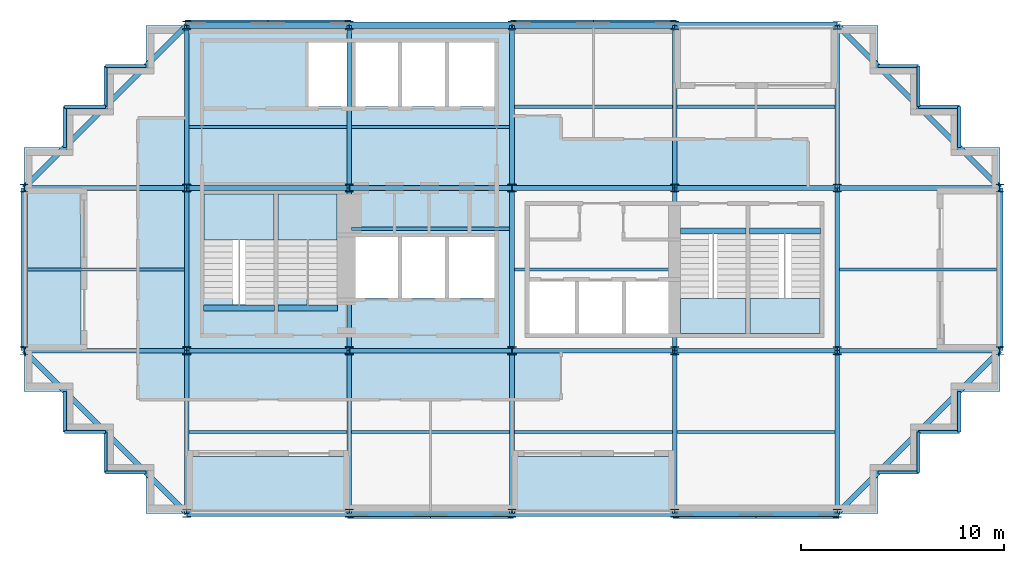
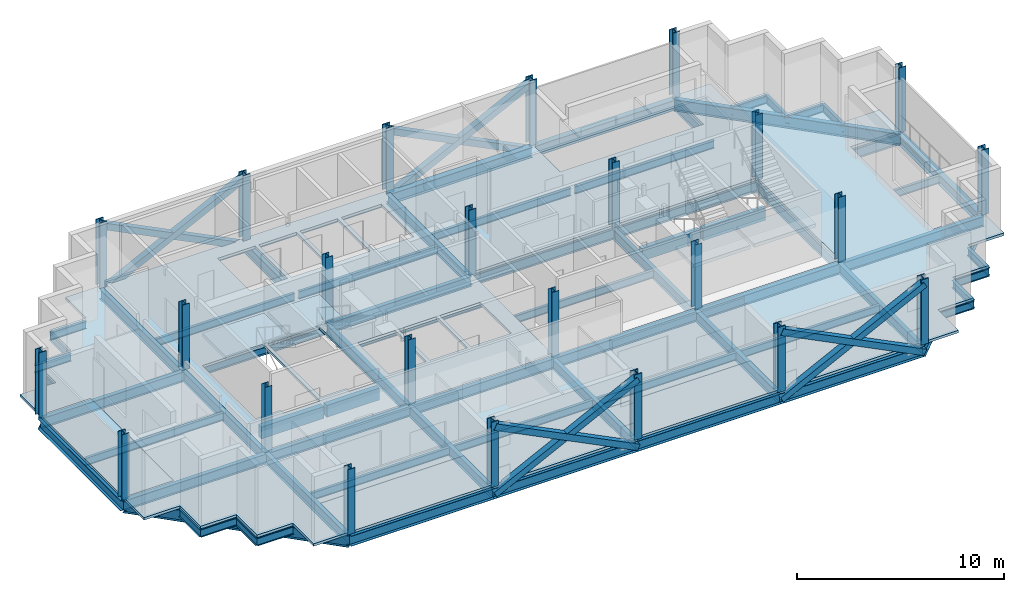
# One storey, part 1 of 7: 73 beams, 24 columns, 9 slabs, 8 members, 4 elements without a shape of their own.
"""IFC4 building model written with IfcOpenShell, lengths in metres."""

from ifc_helpers import new_model, si_unit, direction, frame, origin, origin_2d, place, context, subcontext, project, spatial, polyline, rectangle, hollow_rectangle, i_section, outline, extrude, material, layer, layer_set, material_profile, profile_set, type_object, element, aggregate, save


model = new_model("IFC4")

# Units and contexts
model_context = context("Model", 3, precision=1e-05, world=origin(), true_north=direction((0.0, 1.0)))
body_context = subcontext(model_context, "Body", "Model", "MODEL_VIEW")
ifc_project = project(units=[si_unit("LENGTHUNIT", "METRE"), si_unit("AREAUNIT", "SQUARE_METRE"), si_unit("VOLUMEUNIT", "CUBIC_METRE"), si_unit("PLANEANGLEUNIT", "RADIAN"), si_unit("MASSUNIT", "GRAM", prefix="KILO")], contexts=[model_context])

# Site, building, storey
site_placement = place(None, origin())
site = spatial("IfcSite", under=ifc_project, at=site_placement, CompositionType="ELEMENT")
building_placement = place(site_placement, origin())
building = spatial("IfcBuilding", under=site, at=building_placement, Name="Immortelle Media Tower", CompositionType="ELEMENT")
storey_placement = place(building_placement, frame((0.0, 0.0, 205.0)))
storey = spatial("IfcBuildingStorey", under=building, at=storey_placement, Name="L43", CompositionType="ELEMENT", Elevation=205.0)

# Columns
ifc_material_1 = material(Name="Steel ASTM A992 Gr 50", Category="steel")
ifc_material_profile_1 = material_profile(ifc_material_1, i_section(OverallWidth=0.39404296875, OverallDepth=0.3759765625, WebThickness=0.01708984375, FlangeThickness=0.028076171875, at=origin_2d()), Name="W14x145")
ifc_profile_set_1 = profile_set([ifc_material_profile_1], Name="Steel ASTM A992 Gr 50")
column_type_1 = type_object("IfcColumnType", Name="W14x145 column", PredefinedType="COLUMN", material=ifc_profile_set_1)
for number, where, z_axis, x_axis, name in (
    (1, (8.0, 8.0, 0.0), (0.0, 0.0, 1.0), (1.0, 0.0, 0.0), "Column 2/B"),
    (2, (8.0, 16.0, 0.0), (0.0, 0.0, 1.0), (1.0, 0.0, 0.0), "Column 2/C"),
    (3, (16.0, 8.0, 0.0), (0.0, 0.0, 1.0), (1.0, 0.0, 0.0), "Column 3/B"),
    (4, (16.0, 16.0, 0.0), (0.0, 0.0, 1.0), (1.0, 0.0, 0.0), "Column 3/C"),
    (5, (32.0, 8.0, 0.0), (0.0, 0.0, 1.0), (1.0, 0.0, 0.0), "Column 5/B"),
    (6, (32.0, 16.0, 0.0), (0.0, 0.0, 1.0), (1.0, 0.0, 0.0), "Column 5/C"),
    (7, (40.0, 8.0, 0.0), (0.0, 0.0, 1.0), (1.0, 0.0, 0.0), "Column 6/B"),
    (8, (40.0, 16.0, 0.0), (0.0, 0.0, 1.0), (1.0, 0.0, 0.0), "Column 6/C"),
):
    element("IfcColumn", number, at=place(storey_placement, frame(where, z_axis=z_axis, x_axis=x_axis)), inside=storey, type_object=column_type_1, Name=name, PredefinedType="COLUMN", context=body_context, shape_type="SweptSolid", body=[
        extrude(i_section(OverallWidth=0.39404296875, OverallDepth=0.3759765625, WebThickness=0.01708984375, FlangeThickness=0.028076171875, at=origin_2d()), origin(), (0.0, 0.0, 1.0), 3.85009765625),
    ])
ifc_material_profile_2 = material_profile(ifc_material_1, i_section(OverallWidth=0.39892578125, OverallDepth=0.385986328125, WebThickness=0.02099609375, FlangeThickness=0.032958984375, at=origin_2d()), Name="W14x176")
ifc_profile_set_2 = profile_set([ifc_material_profile_2], Name="Steel ASTM A992 Gr 50")
column_type_2 = type_object("IfcColumnType", Name="W14x176 column", PredefinedType="COLUMN", material=ifc_profile_set_2)
for number, where, z_axis, x_axis, name in (
    (9, (24.0, 8.0, 0.0), (0.0, 0.0, 1.0), (1.0, 0.0, 0.0), "Column 4/B"),
    (10, (24.0, 16.0, 0.0), (0.0, 0.0, 1.0), (1.0, 0.0, 0.0), "Column 4/C"),
):
    element("IfcColumn", number, at=place(storey_placement, frame(where, z_axis=z_axis, x_axis=x_axis)), inside=storey, type_object=column_type_2, Name=name, PredefinedType="COLUMN", context=body_context, shape_type="SweptSolid", body=[
        extrude(i_section(OverallWidth=0.39892578125, OverallDepth=0.385986328125, WebThickness=0.02099609375, FlangeThickness=0.032958984375, at=origin_2d()), origin(), (0.0, 0.0, 1.0), 3.85009765625),
    ])
ifc_material_profile_3 = material_profile(ifc_material_1, i_section(OverallWidth=0.40087890625, OverallDepth=0.39892578125, WebThickness=0.02490234375, FlangeThickness=0.0400390625, at=origin_2d()), Name="W14x211")
ifc_profile_set_3 = profile_set([ifc_material_profile_3], Name="Steel ASTM A992 Gr 50")
column_type_3 = type_object("IfcColumnType", Name="W14x211 column", PredefinedType="COLUMN", material=ifc_profile_set_3)
for number, where, z_axis, x_axis, name in (
    (11, (0.0, 8.0, 0.0), (0.0, 0.0, 1.0), (1.0, 0.0, 0.0), "Column 1/B"),
    (12, (0.0, 16.0, 0.0), (0.0, 0.0, 1.0), (1.0, 0.0, 0.0), "Column 1/C"),
    (13, (8.0, 0.0, 0.0), (0.0, 0.0, 1.0), (1.0, 0.0, 0.0), "Column 2/A"),
    (14, (40.0, 24.0, 0.0), (0.0, 0.0, 1.0), (1.0, 0.0, 0.0), "Column 6/D"),
    (15, (48.0, 8.0, 0.0), (0.0, 0.0, 1.0), (1.0, 0.0, 0.0), "Column 7/B"),
    (16, (48.0, 16.0, 0.0), (0.0, 0.0, 1.0), (1.0, 0.0, 0.0), "Column 7/C"),
):
    element("IfcColumn", number, at=place(storey_placement, frame(where, z_axis=z_axis, x_axis=x_axis)), inside=storey, type_object=column_type_3, Name=name, PredefinedType="COLUMN", context=body_context, shape_type="SweptSolid", body=[
        extrude(i_section(OverallWidth=0.40087890625, OverallDepth=0.39892578125, WebThickness=0.02490234375, FlangeThickness=0.0400390625, at=origin_2d()), origin(), (0.0, 0.0, 1.0), 3.85009765625),
    ])
ifc_material_profile_4 = material_profile(ifc_material_1, i_section(OverallWidth=0.410888671875, OverallDepth=0.43408203125, WebThickness=0.035888671875, FlangeThickness=0.056884765625, at=origin_2d()), Name="W14x311")
ifc_profile_set_4 = profile_set([ifc_material_profile_4], Name="Steel ASTM A992 Gr 50")
column_type_4 = type_object("IfcColumnType", Name="W14x311 column", PredefinedType="COLUMN", material=ifc_profile_set_4)
for number, where, z_axis, x_axis, name in (
    (17, (8.0, 24.0, 0.0), (0.0, 0.0, 1.0), (1.0, 0.0, 0.0), "Column 2/D"),
    (18, (16.0, 0.0, 0.0), (0.0, 0.0, 1.0), (1.0, 0.0, 0.0), "Column 3/A"),
    (19, (16.0, 24.0, 0.0), (0.0, 0.0, 1.0), (1.0, 0.0, 0.0), "Column 3/D"),
    (20, (24.0, 0.0, 0.0), (0.0, 0.0, 1.0), (1.0, 0.0, 0.0), "Column 4/A"),
    (21, (24.0, 24.0, 0.0), (0.0, 0.0, 1.0), (1.0, 0.0, 0.0), "Column 4/D"),
    (22, (32.0, 0.0, 0.0), (0.0, 0.0, 1.0), (1.0, 0.0, 0.0), "Column 5/A"),
    (23, (32.0, 24.0, 0.0), (0.0, 0.0, 1.0), (1.0, 0.0, 0.0), "Column 5/D"),
    (24, (40.0, 0.0, 0.0), (0.0, 0.0, 1.0), (1.0, 0.0, 0.0), "Column 6/A"),
):
    element("IfcColumn", number, at=place(storey_placement, frame(where, z_axis=z_axis, x_axis=x_axis)), inside=storey, type_object=column_type_4, Name=name, PredefinedType="COLUMN", context=body_context, shape_type="SweptSolid", body=[
        extrude(i_section(OverallWidth=0.410888671875, OverallDepth=0.43408203125, WebThickness=0.035888671875, FlangeThickness=0.056884765625, at=origin_2d()), origin(), (0.0, 0.0, 1.0), 3.85009765625),
    ])

# Members
ifc_material_2 = material(Name="Steel ASTM A500 Gr C", Category="steel")
ifc_material_profile_5 = material_profile(ifc_material_2, hollow_rectangle(XDim=0.35595703125, YDim=0.35595703125, WallThickness=0.011962890625, at=origin_2d()), Name="HSS14x14x1/2 brace")
ifc_profile_set_5 = profile_set([ifc_material_profile_5], Name="Steel ASTM A500 Gr C")
member_type = type_object("IfcMemberType", Name="HSS14x14x1/2 brace", PredefinedType="BRACE", material=ifc_profile_set_5)
for number, where, z_axis, x_axis, name in (
    (25, (16.0, -0.087890625, -0.4560546875), (0.894427191, 0.0, 0.4472135955), (0.0, 1.0, 0.0), "Brace A/3-4 A"),
    (26, (16.0, -0.087890625, 3.5439453125), (0.894427191, 0.0, -0.4472135955), (0.0, 1.0, 0.0), "Brace A/3-4 B"),
    (27, (32.0, -0.087890625, -0.4560546875), (0.894427191, 0.0, 0.4472135955), (0.0, 1.0, 0.0), "Brace A/5-6 A"),
    (28, (32.0, -0.087890625, 3.5439453125), (0.894427191, 0.0, -0.4472135955), (0.0, 1.0, 0.0), "Brace A/5-6 B"),
    (29, (32.0, 24.087890625, -0.4560546875), (-0.894427191, 0.0, 0.4472135955), (0.0, -1.0, 0.0), "Brace D/4-5 A"),
    (30, (32.0, 24.087890625, 3.5439453125), (-0.894427191, 0.0, -0.4472135955), (0.0, -1.0, 0.0), "Brace D/4-5 B"),
    (31, (16.0, 24.087890625, -0.4560546875), (-0.894427191, 0.0, 0.4472135955), (0.0, -1.0, 0.0), "Brace D/2-3 A"),
    (32, (16.0, 24.087890625, 3.5439453125), (-0.894427191, 0.0, -0.4472135955), (0.0, -1.0, 0.0), "Brace D/2-3 B"),
):
    element("IfcMember", number, at=place(storey_placement, frame(where, z_axis=z_axis, x_axis=x_axis)), inside=storey, type_object=member_type, Name=name, PredefinedType="BRACE", context=body_context, shape_type="SweptSolid", body=[
        extrude(hollow_rectangle(XDim=0.35595703125, YDim=0.35595703125, WallThickness=0.011962890625, at=origin_2d()), origin(), (0.0, 0.0, 1.0), 8.9443359375),
    ])

# Beams
ifc_material_3 = material(Name="Concrete C50/60", Category="concrete")
ifc_material_profile_6 = material_profile(ifc_material_3, rectangle(XDim=0.300048828125, YDim=0.699951171875, at=origin_2d()), Name="RC 300x700")
ifc_profile_set_6 = profile_set([ifc_material_profile_6], Name="Concrete C50/60")
beam_type_1 = type_object("IfcBeamType", Name="Stair trimmer beam 300 x 700", PredefinedType="BEAM", material=ifc_profile_set_6)
beam_1_placement = place(storey_placement, frame((8.830078125, 10.10498046875, -0.5), z_axis=(1.0, 0.0, 0.0), x_axis=(0.0, 1.0, 0.0)))
element("IfcBeam", 33, at=beam_1_placement, inside=storey, type_object=beam_type_1, Name="Stair trimmer beam SW1", PredefinedType="BEAM", context=body_context, shape_type="SweptSolid", body=[
    extrude(rectangle(XDim=0.300048828125, YDim=0.699951171875, at=origin_2d()), origin(), (0.0, 0.0, 1.0), 3.489990234375),
])
beam_2_placement = place(storey_placement, frame((12.47998046875, 10.10498046875, -0.5), z_axis=(1.0, 0.0, 0.0), x_axis=(0.0, 1.0, 0.0)))
element("IfcBeam", 34, at=beam_2_placement, inside=storey, type_object=beam_type_1, Name="Stair trimmer beam SW2", PredefinedType="BEAM", context=body_context, shape_type="SweptSolid", body=[
    extrude(rectangle(XDim=0.300048828125, YDim=0.699951171875, at=origin_2d()), origin(), (0.0, 0.0, 1.0), 2.93994140625),
])
beam_3_placement = place(storey_placement, frame((32.280029296875, 13.89501953125, -0.5), z_axis=(1.0, 0.0, 0.0), x_axis=(0.0, 1.0, 0.0)))
element("IfcBeam", 35, at=beam_3_placement, inside=storey, type_object=beam_type_1, Name="Stair trimmer beam SE1", PredefinedType="BEAM", context=body_context, shape_type="SweptSolid", body=[
    extrude(rectangle(XDim=0.300048828125, YDim=0.699951171875, at=origin_2d()), origin(), (0.0, 0.0, 1.0), 3.239990234375),
])
beam_4_placement = place(storey_placement, frame((35.679931640625, 13.89501953125, -0.5), z_axis=(1.0, 0.0, 0.0), x_axis=(0.0, 1.0, 0.0)))
element("IfcBeam", 36, at=beam_4_placement, inside=storey, type_object=beam_type_1, Name="Stair trimmer beam SE2", PredefinedType="BEAM", context=body_context, shape_type="SweptSolid", body=[
    extrude(rectangle(XDim=0.300048828125, YDim=0.699951171875, at=origin_2d()), origin(), (0.0, 0.0, 1.0), 3.489990234375),
])
ifc_material_profile_7 = material_profile(ifc_material_1, i_section(OverallWidth=0.153076171875, OverallDepth=0.455078125, WebThickness=0.008056640625, FlangeThickness=0.012939453125, at=origin_2d()), Name="W18x40")
ifc_profile_set_7 = profile_set([ifc_material_profile_7], Name="Steel ASTM A992 Gr 50")
beam_type_2 = type_object("IfcBeamType", Name="W18x40 secondary beam", PredefinedType="JOIST", material=ifc_profile_set_7)
for number, where, z_axis, x_axis, name in (
    (37, (8.114013671875, 4.0, -0.37744140625), (1.0, 0.0, 0.0), (0.0, 1.0, 0.0), "Beam A-B/2-3"),
    (38, (16.114013671875, 4.0, -0.37744140625), (1.0, 0.0, 0.0), (0.0, 1.0, 0.0), "Beam A-B/3-4"),
    (39, (24.114013671875, 4.0, -0.37744140625), (1.0, 0.0, 0.0), (0.0, 1.0, 0.0), "Beam A-B/4-5"),
    (40, (32.114013671875, 4.0, -0.37744140625), (1.0, 0.0, 0.0), (0.0, 1.0, 0.0), "Beam A-B/5-6"),
):
    element("IfcBeam", number, at=place(storey_placement, frame(where, z_axis=z_axis, x_axis=x_axis)), inside=storey, type_object=beam_type_2, Name=name, PredefinedType="JOIST", context=body_context, shape_type="SweptSolid", body=[
        extrude(i_section(OverallWidth=0.153076171875, OverallDepth=0.455078125, WebThickness=0.008056640625, FlangeThickness=0.012939453125, at=origin_2d()), origin(), (0.0, 0.0, 1.0), 7.77197265625),
    ])
beam_5_placement = place(storey_placement, frame((0.162109375, 12.0, -0.37744140625), z_axis=(1.0, 0.0, 0.0), x_axis=(0.0, 1.0, 0.0)))
element("IfcBeam", 41, at=beam_5_placement, inside=storey, type_object=beam_type_2, Name="Beam B-C/1-2", PredefinedType="JOIST", context=body_context, shape_type="SweptSolid", body=[
    extrude(i_section(OverallWidth=0.153076171875, OverallDepth=0.455078125, WebThickness=0.008056640625, FlangeThickness=0.012939453125, at=origin_2d()), origin(), (0.0, 0.0, 1.0), 7.723876953125),
])
for number, where, z_axis, x_axis, name in (
    (42, (16.114013671875, 14.0, -0.37744140625), (1.0, 0.0, 0.0), (0.0, 1.0, 0.0), "Beam B-C/3-4"),
    (43, (24.114013671875, 12.0, -0.37744140625), (1.0, 0.0, 0.0), (0.0, 1.0, 0.0), "Beam B-C/4-5"),
):
    element("IfcBeam", number, at=place(storey_placement, frame(where, z_axis=z_axis, x_axis=x_axis)), inside=storey, type_object=beam_type_2, Name=name, PredefinedType="JOIST", context=body_context, shape_type="SweptSolid", body=[
        extrude(i_section(OverallWidth=0.153076171875, OverallDepth=0.455078125, WebThickness=0.008056640625, FlangeThickness=0.012939453125, at=origin_2d()), origin(), (0.0, 0.0, 1.0), 7.77197265625),
    ])
beam_6_placement = place(storey_placement, frame((40.114013671875, 12.0, -0.37744140625), z_axis=(1.0, 0.0, 0.0), x_axis=(0.0, 1.0, 0.0)))
element("IfcBeam", 44, at=beam_6_placement, inside=storey, type_object=beam_type_2, Name="Beam B-C/6-7", PredefinedType="JOIST", context=body_context, shape_type="SweptSolid", body=[
    extrude(i_section(OverallWidth=0.153076171875, OverallDepth=0.455078125, WebThickness=0.008056640625, FlangeThickness=0.012939453125, at=origin_2d()), origin(), (0.0, 0.0, 1.0), 7.723876953125),
])
for number, where, z_axis, x_axis, name in (
    (45, (8.114013671875, 19.0, -0.37744140625), (1.0, 0.0, 0.0), (0.0, 1.0, 0.0), "Beam C-D/2-3"),
    (46, (16.114013671875, 19.0, -0.37744140625), (1.0, 0.0, 0.0), (0.0, 1.0, 0.0), "Beam C-D/3-4"),
    (47, (24.114013671875, 20.0, -0.37744140625), (1.0, 0.0, 0.0), (0.0, 1.0, 0.0), "Beam C-D/4-5"),
    (48, (32.114013671875, 20.0, -0.37744140625), (1.0, 0.0, 0.0), (0.0, 1.0, 0.0), "Beam C-D/5-6"),
):
    element("IfcBeam", number, at=place(storey_placement, frame(where, z_axis=z_axis, x_axis=x_axis)), inside=storey, type_object=beam_type_2, Name=name, PredefinedType="JOIST", context=body_context, shape_type="SweptSolid", body=[
        extrude(i_section(OverallWidth=0.153076171875, OverallDepth=0.455078125, WebThickness=0.008056640625, FlangeThickness=0.012939453125, at=origin_2d()), origin(), (0.0, 0.0, 1.0), 7.77197265625),
    ])
ifc_material_profile_8 = material_profile(ifc_material_1, i_section(OverallWidth=0.153076171875, OverallDepth=0.455078125, WebThickness=0.008056640625, FlangeThickness=0.012939453125, at=origin_2d()), Name="W18x40")
ifc_profile_set_8 = profile_set([ifc_material_profile_8], Name="Steel ASTM A992 Gr 50")
beam_type_3 = type_object("IfcBeamType", Name="W18x40 serration edge beam", PredefinedType="SPANDREL", material=ifc_profile_set_8)
for number, where, z_axis, x_axis, name in (
    (49, (6.0, 2.0, -0.37744140625), (-1.0, 0.0, 0.0), (0.0, -1.0, 0.0), "Corner edge beam 1 at 1/A"),
    (50, (4.0, 2.0, -0.37744140625), (0.0, 1.0, 0.0), (-1.0, 0.0, 0.0), "Corner edge beam 2 at 1/A"),
    (51, (4.0, 4.0, -0.37744140625), (-1.0, 0.0, 0.0), (0.0, -1.0, 0.0), "Corner edge beam 3 at 1/A"),
    (52, (2.0, 4.0, -0.37744140625), (0.0, 1.0, 0.0), (-1.0, 0.0, 0.0), "Corner edge beam 4 at 1/A"),
    (53, (2.0, 18.0, -0.37744140625), (0.0, 1.0, 0.0), (-1.0, 0.0, 0.0), "Corner edge beam 1 at 1/D"),
    (54, (2.0, 20.0, -0.37744140625), (1.0, 0.0, 0.0), (0.0, 1.0, 0.0), "Corner edge beam 2 at 1/D"),
    (55, (4.0, 20.0, -0.37744140625), (0.0, 1.0, 0.0), (-1.0, 0.0, 0.0), "Corner edge beam 3 at 1/D"),
    (56, (4.0, 22.0, -0.37744140625), (1.0, 0.0, 0.0), (0.0, 1.0, 0.0), "Corner edge beam 4 at 1/D"),
    (57, (46.0, 6.0, -0.37744140625), (0.0, -1.0, 0.0), (1.0, 0.0, 0.0), "Corner edge beam 1 at 7/A"),
    (58, (46.0, 4.0, -0.37744140625), (-1.0, 0.0, 0.0), (0.0, -1.0, 0.0), "Corner edge beam 2 at 7/A"),
    (59, (44.0, 4.0, -0.37744140625), (0.0, -1.0, 0.0), (1.0, 0.0, 0.0), "Corner edge beam 3 at 7/A"),
    (60, (44.0, 2.0, -0.37744140625), (-1.0, 0.0, 0.0), (0.0, -1.0, 0.0), "Corner edge beam 4 at 7/A"),
    (61, (42.0, 22.0, -0.37744140625), (1.0, 0.0, 0.0), (0.0, 1.0, 0.0), "Corner edge beam 1 at 7/D"),
    (62, (44.0, 22.0, -0.37744140625), (0.0, -1.0, 0.0), (1.0, 0.0, 0.0), "Corner edge beam 2 at 7/D"),
    (63, (44.0, 20.0, -0.37744140625), (1.0, 0.0, 0.0), (0.0, 1.0, 0.0), "Corner edge beam 3 at 7/D"),
    (64, (46.0, 20.0, -0.37744140625), (0.0, -1.0, 0.0), (1.0, 0.0, 0.0), "Corner edge beam 4 at 7/D"),
):
    element("IfcBeam", number, at=place(storey_placement, frame(where, z_axis=z_axis, x_axis=x_axis)), inside=storey, type_object=beam_type_3, Name=name, PredefinedType="SPANDREL", context=body_context, shape_type="SweptSolid", body=[
        extrude(i_section(OverallWidth=0.153076171875, OverallDepth=0.455078125, WebThickness=0.008056640625, FlangeThickness=0.012939453125, at=origin_2d()), origin(), (0.0, 0.0, 1.0), 2.0),
    ])
ifc_material_profile_9 = material_profile(ifc_material_1, i_section(OverallWidth=0.323974609375, OverallDepth=0.612060546875, WebThickness=0.012939453125, FlangeThickness=0.01904296875, at=origin_2d()), Name="W24x104")
ifc_profile_set_9 = profile_set([ifc_material_profile_9], Name="Steel ASTM A992 Gr 50")
beam_type_4 = type_object("IfcBeamType", Name="W24x104 perimeter girder", PredefinedType="SPANDREL", material=ifc_profile_set_9)
for number, where, z_axis, x_axis, name in (
    (65, (0.0, 8.0, -0.4560546875), (0.0, 1.0, 0.0), (-1.0, 0.0, 0.0), "Girder 1/B-C"),
    (66, (8.0, 0.0, -0.4560546875), (1.0, 0.0, 0.0), (0.0, 1.0, 0.0), "Girder A/2-3"),
    (67, (8.0, 24.0, -0.4560546875), (1.0, 0.0, 0.0), (0.0, 1.0, 0.0), "Girder D/2-3"),
    (68, (16.0, 0.0, -0.4560546875), (1.0, 0.0, 0.0), (0.0, 1.0, 0.0), "Girder A/3-4"),
    (69, (16.0, 24.0, -0.4560546875), (1.0, 0.0, 0.0), (0.0, 1.0, 0.0), "Girder D/3-4"),
    (70, (24.0, 0.0, -0.4560546875), (1.0, 0.0, 0.0), (0.0, 1.0, 0.0), "Girder A/4-5"),
    (71, (24.0, 24.0, -0.4560546875), (1.0, 0.0, 0.0), (0.0, 1.0, 0.0), "Girder D/4-5"),
    (72, (32.0, 0.0, -0.4560546875), (1.0, 0.0, 0.0), (0.0, 1.0, 0.0), "Girder A/5-6"),
    (73, (32.0, 24.0, -0.4560546875), (1.0, 0.0, 0.0), (0.0, 1.0, 0.0), "Girder D/5-6"),
    (74, (48.0, 8.0, -0.4560546875), (0.0, 1.0, 0.0), (-1.0, 0.0, 0.0), "Girder 7/B-C"),
):
    element("IfcBeam", number, at=place(storey_placement, frame(where, z_axis=z_axis, x_axis=x_axis)), inside=storey, type_object=beam_type_4, Name=name, PredefinedType="SPANDREL", context=body_context, shape_type="SweptSolid", body=[
        extrude(i_section(OverallWidth=0.323974609375, OverallDepth=0.612060546875, WebThickness=0.012939453125, FlangeThickness=0.01904296875, at=origin_2d()), origin(), (0.0, 0.0, 1.0), 8.0),
    ])
ifc_material_profile_10 = material_profile(ifc_material_1, i_section(OverallWidth=0.22802734375, OverallDepth=0.60205078125, WebThickness=0.010986328125, FlangeThickness=0.014892578125, at=origin_2d()), Name="W24x68")
ifc_profile_set_10 = profile_set([ifc_material_profile_10], Name="Steel ASTM A992 Gr 50")
beam_type_5 = type_object("IfcBeamType", Name="W24x68 girder", PredefinedType="BEAM", material=ifc_profile_set_10)
for number, where, z_axis, x_axis, name in (
    (75, (0.0, 8.0, -0.450927734375), (1.0, 0.0, 0.0), (0.0, 1.0, 0.0), "Girder B/1-2"),
    (76, (0.0, 16.0, -0.450927734375), (1.0, 0.0, 0.0), (0.0, 1.0, 0.0), "Girder C/1-2"),
    (77, (8.0, 0.0, -0.450927734375), (0.0, 1.0, 0.0), (-1.0, 0.0, 0.0), "Girder 2/A-B"),
    (78, (8.0, 8.0, -0.450927734375), (1.0, 0.0, 0.0), (0.0, 1.0, 0.0), "Girder B/2-3"),
    (79, (8.0, 8.0, -0.450927734375), (0.0, 1.0, 0.0), (-1.0, 0.0, 0.0), "Girder 2/B-C"),
    (80, (8.0, 16.0, -0.450927734375), (1.0, 0.0, 0.0), (0.0, 1.0, 0.0), "Girder C/2-3"),
    (81, (8.0, 16.0, -0.450927734375), (0.0, 1.0, 0.0), (-1.0, 0.0, 0.0), "Girder 2/C-D"),
    (82, (16.0, 0.0, -0.450927734375), (0.0, 1.0, 0.0), (-1.0, 0.0, 0.0), "Girder 3/A-B"),
    (83, (16.0, 8.0, -0.450927734375), (1.0, 0.0, 0.0), (0.0, 1.0, 0.0), "Girder B/3-4"),
    (84, (16.0, 8.0, -0.450927734375), (0.0, 1.0, 0.0), (-1.0, 0.0, 0.0), "Girder 3/B-C"),
    (85, (16.0, 16.0, -0.450927734375), (1.0, 0.0, 0.0), (0.0, 1.0, 0.0), "Girder C/3-4"),
    (86, (16.0, 16.0, -0.450927734375), (0.0, 1.0, 0.0), (-1.0, 0.0, 0.0), "Girder 3/C-D"),
    (87, (24.0, 0.0, -0.450927734375), (0.0, 1.0, 0.0), (-1.0, 0.0, 0.0), "Girder 4/A-B"),
    (88, (24.0, 8.0, -0.450927734375), (1.0, 0.0, 0.0), (0.0, 1.0, 0.0), "Girder B/4-5"),
    (89, (24.0, 8.0, -0.450927734375), (0.0, 1.0, 0.0), (-1.0, 0.0, 0.0), "Girder 4/B-C"),
    (90, (24.0, 16.0, -0.450927734375), (1.0, 0.0, 0.0), (0.0, 1.0, 0.0), "Girder C/4-5"),
    (91, (24.0, 16.0, -0.450927734375), (0.0, 1.0, 0.0), (-1.0, 0.0, 0.0), "Girder 4/C-D"),
    (92, (32.0, 0.0, -0.450927734375), (0.0, 1.0, 0.0), (-1.0, 0.0, 0.0), "Girder 5/A-B"),
    (93, (32.0, 8.0, -0.450927734375), (1.0, 0.0, 0.0), (0.0, 1.0, 0.0), "Girder B/5-6"),
    (94, (32.0, 8.0, -0.450927734375), (0.0, 1.0, 0.0), (-1.0, 0.0, 0.0), "Girder 5/B-C"),
    (95, (32.0, 16.0, -0.450927734375), (1.0, 0.0, 0.0), (0.0, 1.0, 0.0), "Girder C/5-6"),
    (96, (32.0, 16.0, -0.450927734375), (0.0, 1.0, 0.0), (-1.0, 0.0, 0.0), "Girder 5/C-D"),
    (97, (40.0, 0.0, -0.450927734375), (0.0, 1.0, 0.0), (-1.0, 0.0, 0.0), "Girder 6/A-B"),
    (98, (40.0, 8.0, -0.450927734375), (1.0, 0.0, 0.0), (0.0, 1.0, 0.0), "Girder B/6-7"),
    (99, (40.0, 8.0, -0.450927734375), (0.0, 1.0, 0.0), (-1.0, 0.0, 0.0), "Girder 6/B-C"),
    (100, (40.0, 16.0, -0.450927734375), (1.0, 0.0, 0.0), (0.0, 1.0, 0.0), "Girder C/6-7"),
    (101, (40.0, 16.0, -0.450927734375), (0.0, 1.0, 0.0), (-1.0, 0.0, 0.0), "Girder 6/C-D"),
):
    element("IfcBeam", number, at=place(storey_placement, frame(where, z_axis=z_axis, x_axis=x_axis)), inside=storey, type_object=beam_type_5, Name=name, PredefinedType="BEAM", context=body_context, shape_type="SweptSolid", body=[
        extrude(i_section(OverallWidth=0.22802734375, OverallDepth=0.60205078125, WebThickness=0.010986328125, FlangeThickness=0.014892578125, at=origin_2d()), origin(), (0.0, 0.0, 1.0), 8.0),
    ])
ifc_material_profile_11 = material_profile(ifc_material_1, i_section(OverallWidth=0.257080078125, OverallDepth=0.693115234375, WebThickness=0.013916015625, FlangeThickness=0.02392578125, at=origin_2d()), Name="W27x114")
ifc_profile_set_11 = profile_set([ifc_material_profile_11], Name="Steel ASTM A992 Gr 50")
beam_type_6 = type_object("IfcBeamType", Name="W27x114 corner girder", PredefinedType="SPANDREL", material=ifc_profile_set_11)
for number, where, z_axis, x_axis, name in (
    (102, (8.0, 0.0, -0.49658203125), (-0.707106781187, 0.707106781187, 0.0), (-0.707106781187, -0.707106781187, 0.0), "Corner girder at 1/A"),
    (103, (0.0, 16.0, -0.49658203125), (0.707106781187, 0.707106781187, 0.0), (-0.707106781187, 0.707106781187, 0.0), "Corner girder at 1/D"),
    (104, (48.0, 8.0, -0.49658203125), (-0.707106781187, -0.707106781187, 0.0), (0.707106781187, -0.707106781187, 0.0), "Corner girder at 7/A"),
    (105, (40.0, 24.0, -0.49658203125), (0.707106781187, -0.707106781187, 0.0), (0.707106781187, 0.707106781187, 0.0), "Corner girder at 7/D"),
):
    element("IfcBeam", number, at=place(storey_placement, frame(where, z_axis=z_axis, x_axis=x_axis)), inside=storey, type_object=beam_type_6, Name=name, PredefinedType="SPANDREL", context=body_context, shape_type="SweptSolid", body=[
        extrude(i_section(OverallWidth=0.257080078125, OverallDepth=0.693115234375, WebThickness=0.013916015625, FlangeThickness=0.02392578125, at=origin_2d()), origin(), (0.0, 0.0, 1.0), 11.313720703125),
    ])

# Slabs
ifc_material_4 = material(Name="Concrete C50/60 composite deck", Category="concrete")
ifc_layer_1 = layer(ifc_material_4, 0.14990234375)
ifc_layer_set_1 = layer_set([ifc_layer_1], Name="Concrete C50/60 composite deck")
slab_type_1 = type_object("IfcSlabType", Name="Balcony slab 150", PredefinedType="FLOOR", material=ifc_layer_set_1)
slab_1_placement = place(storey_placement, frame((0.0, 0.0, -0.14990234375)))
element("IfcSlab", 106, at=slab_1_placement, inside=storey, type_object=slab_type_1, Name="Balcony slab L43 S0", PredefinedType="FLOOR", context=body_context, shape_type="SweptSolid", body=[
    extrude(outline(polyline([(16.0, 0.0), (16.0, 2.800048828125), (8.0, 2.800048828125), (8.0, 0.0), (16.0, 0.0)])), origin(), (0.0, 0.0, 1.0), 0.14990234375),
])
slab_2_placement = place(storey_placement, frame((0.0, 0.0, -0.14990234375)))
element("IfcSlab", 107, at=slab_2_placement, inside=storey, type_object=slab_type_1, Name="Balcony slab L43 S2", PredefinedType="FLOOR", context=body_context, shape_type="SweptSolid", body=[
    extrude(outline(polyline([(32.0, 0.0), (32.0, 2.800048828125), (24.0, 2.800048828125), (24.0, 0.0), (32.0, 0.0)])), origin(), (0.0, 0.0, 1.0), 0.14990234375),
])
slab_3_placement = place(storey_placement, frame((0.0, 0.0, -0.14990234375)))
element("IfcSlab", 108, at=slab_3_placement, inside=storey, type_object=slab_type_1, Name="Balcony slab L43 W0", PredefinedType="FLOOR", context=body_context, shape_type="SweptSolid", body=[
    extrude(outline(polyline([(2.800048828125, 8.0), (2.800048828125, 16.0), (0.0, 16.0), (0.0, 8.0), (2.800048828125, 8.0)])), origin(), (0.0, 0.0, 1.0), 0.14990234375),
])
ifc_layer_2 = layer(ifc_material_3, 0.14990234375)
ifc_layer_set_2 = layer_set([ifc_layer_2], Name="Concrete C50/60")
slab_type_2 = type_object("IfcSlabType", Name="Composite floor slab 150", PredefinedType="FLOOR", material=ifc_layer_set_2)
slab_4_placement = place(storey_placement, frame((0.0, 0.0, -0.14990234375)))
element("IfcSlab", 109, at=slab_4_placement, inside=storey, type_object=slab_type_2, Name="Floor slab L43", PredefinedType="FLOOR", context=body_context, shape_type="SweptSolid", body=[
    extrude(outline(polyline([(6.0, 0.0), (6.0, 2.0), (4.0, 2.0), (4.0, 4.0), (2.0, 4.0), (2.0, 6.0), (0.0, 6.0), (0.0, 8.0), (2.800048828125, 8.0), (2.800048828125, 16.0), (0.0, 16.0), (0.0, 18.0), (2.0, 18.0), (2.0, 20.0), (4.0, 20.0), (4.0, 22.0), (6.0, 22.0), (6.0, 24.0), (8.0, 24.0), (8.0, 8.0), (24.0, 8.0), (40.0, 8.0), (40.0, 16.0), (24.0, 16.0), (24.0, 21.199951171875), (24.0, 24.0), (32.0, 24.0), (32.0, 21.199951171875), (40.0, 21.199951171875), (40.0, 24.0), (42.0, 24.0), (42.0, 22.0), (44.0, 22.0), (44.0, 20.0), (46.0, 20.0), (46.0, 18.0), (48.0, 18.0), (48.0, 16.0), (45.199951171875, 16.0), (45.199951171875, 8.0), (48.0, 8.0), (48.0, 6.0), (46.0, 6.0), (46.0, 4.0), (44.0, 4.0), (44.0, 2.0), (42.0, 2.0), (42.0, 0.0), (32.0, 0.0), (32.0, 2.800048828125), (24.0, 2.800048828125), (24.0, 0.0), (16.0, 0.0), (16.0, 2.800048828125), (8.0, 2.800048828125), (8.0, 0.0), (6.0, 0.0)])), origin(), (0.0, 0.0, 1.0), 0.14990234375),
])
ifc_layer_3 = layer(ifc_material_3, 0.14990234375)
ifc_layer_set_3 = layer_set([ifc_layer_3], Name="Concrete C50/60")
slab_type_3 = type_object("IfcSlabType", Name="Core floor slab 150", PredefinedType="FLOOR", material=ifc_layer_set_3)
slab_5_placement = place(storey_placement, frame((0.0, 0.0, -0.14990234375)))
element("IfcSlab", 110, at=slab_5_placement, inside=storey, type_object=slab_type_3, Name="Core floor SW", PredefinedType="FLOOR", context=body_context, shape_type="SweptSolid", body=[
    extrude(outline(polyline([(8.0, 8.0), (24.0, 8.0), (24.0, 24.0), (8.0, 24.0), (8.0, 8.0)]), holes=[polyline([(14.0, 20.0), (16.10009765625, 20.0), (16.10009765625, 23.14990234375), (14.0, 23.14990234375), (14.0, 20.0)]), polyline([(16.300048828125, 20.0), (18.39990234375, 20.0), (18.39990234375, 23.14990234375), (16.300048828125, 23.14990234375), (16.300048828125, 20.0)]), polyline([(18.60009765625, 20.0), (20.699951171875, 20.0), (20.699951171875, 23.14990234375), (18.60009765625, 23.14990234375), (18.60009765625, 20.0)]), polyline([(20.89990234375, 20.0), (23.14990234375, 20.0), (23.14990234375, 23.14990234375), (20.89990234375, 23.14990234375), (20.89990234375, 20.0)]), polyline([(16.300048828125, 10.60009765625), (18.39990234375, 10.60009765625), (18.39990234375, 13.60009765625), (16.300048828125, 13.60009765625), (16.300048828125, 10.60009765625)]), polyline([(18.60009765625, 10.60009765625), (20.699951171875, 10.60009765625), (20.699951171875, 13.60009765625), (18.60009765625, 13.60009765625), (18.60009765625, 10.60009765625)]), polyline([(20.89990234375, 10.60009765625), (23.14990234375, 10.60009765625), (23.14990234375, 13.60009765625), (20.89990234375, 13.60009765625), (20.89990234375, 10.60009765625)]), polyline([(8.85009765625, 15.699951171875), (12.300048828125, 15.699951171875), (12.300048828125, 10.27001953125), (10.25, 10.27001953125), (10.25, 10.56005859375), (8.85009765625, 10.56005859375), (8.85009765625, 15.699951171875)]), polyline([(12.5, 15.699951171875), (15.39990234375, 15.699951171875), (15.39990234375, 10.27001953125), (13.89990234375, 10.27001953125), (13.89990234375, 10.56005859375), (12.5, 10.56005859375), (12.5, 15.699951171875)])]), origin(), (0.0, 0.0, 1.0), 0.14990234375),
])

# Stair, slab
stair_type = type_object("IfcStairType", Name="Stair with flights", PredefinedType="DOUBLE_RETURN_STAIR", material=ifc_material_1)
stair_1_placement = place(storey_placement, origin())
stair_1 = element("IfcStair", 111, at=stair_1_placement, inside=storey, type_object=stair_type, Name="Exit stair SW1", PredefinedType="DOUBLE_RETURN_STAIR")
ifc_material_5 = material(Name="Steel ASTM A572 Gr 50", Category="steel")
ifc_layer_4 = layer(ifc_material_5, 0.199951171875)
ifc_layer_set_4 = layer_set([ifc_layer_4], Name="Steel ASTM A572 Gr 50")
slab_type_4 = type_object("IfcSlabType", Name="Stair landing 200", PredefinedType="LANDING", material=ifc_layer_set_4)
slab_6_placement = place(storey_placement, frame((0.0, 0.0, 1.713134765625)))
slab_6 = element("IfcSlab", 112, at=slab_6_placement, type_object=slab_type_4, Name="ST SW1 landing 1", PredefinedType="LANDING", context=body_context, shape_type="SweptSolid", body=[
    extrude(outline(polyline([(8.85009765625, 13.43994140625), (12.300048828125, 13.43994140625), (12.300048828125, 15.699951171875), (8.85009765625, 15.699951171875), (8.85009765625, 13.43994140625)])), origin(), (0.0, 0.0, 1.0), 0.199951171875),
])
aggregate(stair_1, [slab_6])

stair_2_placement = place(storey_placement, origin())
stair_2 = element("IfcStair", 113, at=stair_2_placement, inside=storey, type_object=stair_type, Name="Exit stair SW2", PredefinedType="DOUBLE_RETURN_STAIR")
slab_7_placement = place(storey_placement, frame((0.0, 0.0, 1.713134765625)))
slab_7 = element("IfcSlab", 114, at=slab_7_placement, type_object=slab_type_4, Name="ST SW2 landing 1", PredefinedType="LANDING", context=body_context, shape_type="SweptSolid", body=[
    extrude(outline(polyline([(12.5, 13.43994140625), (15.39990234375, 13.43994140625), (15.39990234375, 15.699951171875), (12.5, 15.699951171875), (12.5, 13.43994140625)])), origin(), (0.0, 0.0, 1.0), 0.199951171875),
])
aggregate(stair_2, [slab_7])

stair_3_placement = place(storey_placement, origin())
stair_3 = element("IfcStair", 115, at=stair_3_placement, inside=storey, type_object=stair_type, Name="Exit stair SE1", PredefinedType="DOUBLE_RETURN_STAIR")
slab_8_placement = place(storey_placement, frame((0.0, 0.0, 1.713134765625)))
slab_8 = element("IfcSlab", 116, at=slab_8_placement, type_object=slab_type_4, Name="ST SE1 landing 1", PredefinedType="LANDING", context=body_context, shape_type="SweptSolid", body=[
    extrude(outline(polyline([(32.300048828125, 8.85009765625), (35.5, 8.85009765625), (35.5, 10.56005859375), (32.300048828125, 10.56005859375), (32.300048828125, 8.85009765625)])), origin(), (0.0, 0.0, 1.0), 0.199951171875),
])
aggregate(stair_3, [slab_8])

stair_4_placement = place(storey_placement, origin())
stair_4 = element("IfcStair", 117, at=stair_4_placement, inside=storey, type_object=stair_type, Name="Exit stair SE2", PredefinedType="DOUBLE_RETURN_STAIR")
slab_9_placement = place(storey_placement, frame((0.0, 0.0, 1.713134765625)))
slab_9 = element("IfcSlab", 118, at=slab_9_placement, type_object=slab_type_4, Name="ST SE2 landing 1", PredefinedType="LANDING", context=body_context, shape_type="SweptSolid", body=[
    extrude(outline(polyline([(35.699951171875, 8.85009765625), (39.14990234375, 8.85009765625), (39.14990234375, 10.56005859375), (35.699951171875, 10.56005859375), (35.699951171875, 8.85009765625)])), origin(), (0.0, 0.0, 1.0), 0.199951171875),
])
aggregate(stair_4, [slab_9])

save(model, "model.ifc")
